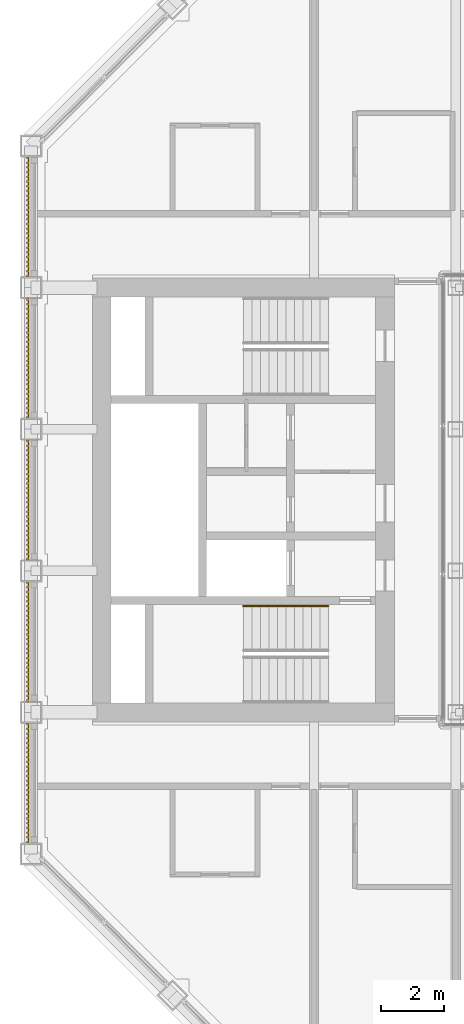
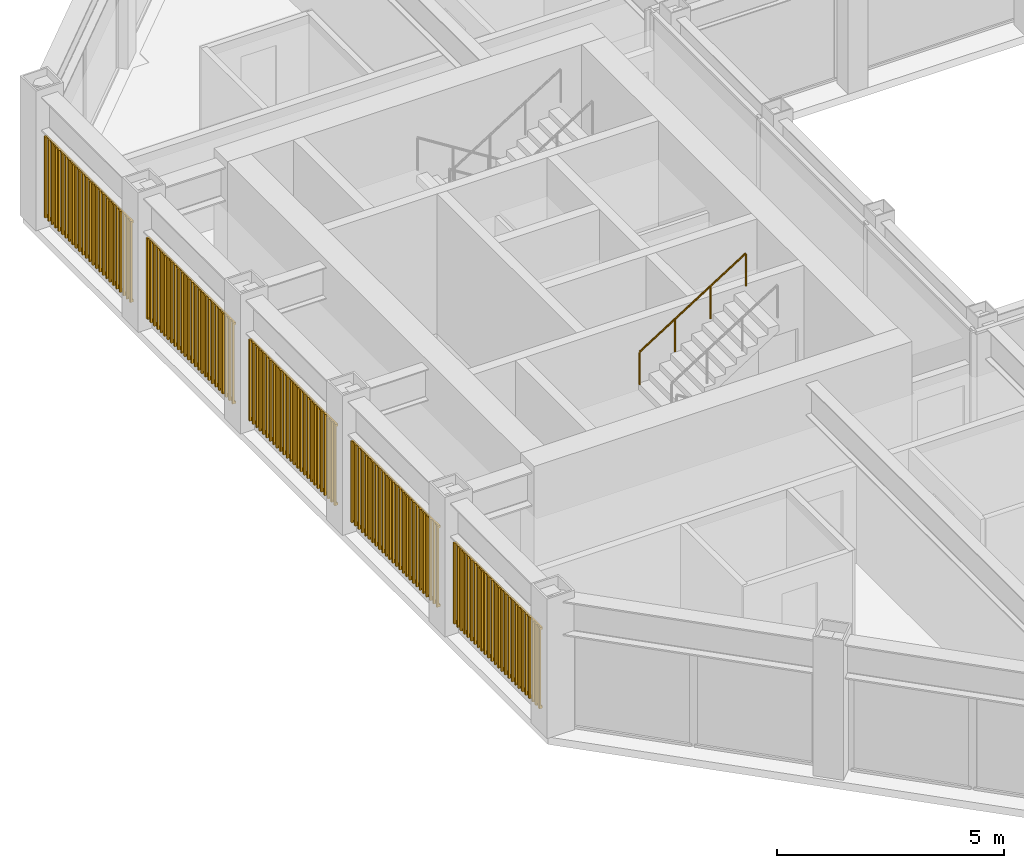
# One storey, part 14 of 16: 1 railing, 1 shading device.
"""IFC4 building model written with IfcOpenShell, lengths in metres."""

from ifc_helpers import new_model, si_unit, direction, frame, origin, origin_2d, place, context, subcontext, project, spatial, rectangle, circle, extrude, material, type_object, element, save


model = new_model("IFC4")

# Units and contexts
model_context = context("Model", 3, precision=1e-05, world=origin(), true_north=direction((0.0, 1.0)))
body_context = subcontext(model_context, "Body", "Model", "MODEL_VIEW")
ifc_project = project(units=[si_unit("LENGTHUNIT", "METRE"), si_unit("AREAUNIT", "SQUARE_METRE"), si_unit("VOLUMEUNIT", "CUBIC_METRE"), si_unit("PLANEANGLEUNIT", "RADIAN"), si_unit("MASSUNIT", "GRAM", prefix="KILO")], contexts=[model_context])

# Site, building, storey
site_placement = place(None, origin())
site = spatial("IfcSite", under=ifc_project, at=site_placement, CompositionType="ELEMENT")
building_placement = place(site_placement, origin())
building = spatial("IfcBuilding", under=site, at=building_placement, Name="Msasa Ring Tower", CompositionType="ELEMENT")
storey_placement = place(building_placement, frame((0.0, 0.0, 215.800048828125)))
storey = spatial("IfcBuildingStorey", under=building, at=storey_placement, Name="L56", CompositionType="ELEMENT", Elevation=215.800048828125)

# Shading device
ifc_material_1 = material(Name="Extruded terracotta on aluminium carriers", Category="masonry")
shading_device_type = type_object("IfcShadingDeviceType", Name="BS1 TERRACOTTA BAGUETTE SCREEN 50x50 AT 150", PredefinedType="USERDEFINED", material=ifc_material_1)
shading_device_placement = place(storey_placement, origin())
element("IfcShadingDevice", 1, at=shading_device_placement, inside=storey, type_object=shading_device_type, Name="Terracotta baguette screen W L56", ObjectType="BAGUETTE", PredefinedType="USERDEFINED", context=body_context, shape_type="SweptSolid", body=[
    extrude(rectangle(XDim=0.06005859375, YDim=0.0400390625, at=origin_2d()), frame((-20.330078125, -10.89990234375, 0.329833984375), z_axis=(0.0, 1.0, 0.0), x_axis=(0.0, 0.0, 1.0)), (0.0, 0.0, 1.0), 3.800048828125),
    extrude(rectangle(XDim=0.06005859375, YDim=0.0400390625, at=origin_2d()), frame((-20.330078125, -10.89990234375, 2.448974609375), z_axis=(0.0, 1.0, 0.0), x_axis=(0.0, 0.0, 1.0)), (0.0, 0.0, 1.0), 3.800048828125),
    extrude(rectangle(XDim=0.050048828125, YDim=0.050048828125, at=origin_2d()), frame((-20.3701171875, -10.875, 0.300048828125), z_axis=(0.0, 0.0, 1.0), x_axis=(0.0, 1.0, 0.0)), (0.0, 0.0, 1.0), 2.178955078125),
    extrude(rectangle(XDim=0.050048828125, YDim=0.050048828125, at=origin_2d()), frame((-20.3701171875, -10.72509765625, 0.300048828125), z_axis=(0.0, 0.0, 1.0), x_axis=(0.0, 1.0, 0.0)), (0.0, 0.0, 1.0), 2.178955078125),
    extrude(rectangle(XDim=0.050048828125, YDim=0.050048828125, at=origin_2d()), frame((-20.3701171875, -10.574951171875, 0.300048828125), z_axis=(0.0, 0.0, 1.0), x_axis=(0.0, 1.0, 0.0)), (0.0, 0.0, 1.0), 2.178955078125),
    extrude(rectangle(XDim=0.050048828125, YDim=0.050048828125, at=origin_2d()), frame((-20.3701171875, -10.425048828125, 0.300048828125), z_axis=(0.0, 0.0, 1.0), x_axis=(0.0, 1.0, 0.0)), (0.0, 0.0, 1.0), 2.178955078125),
    extrude(rectangle(XDim=0.050048828125, YDim=0.050048828125, at=origin_2d()), frame((-20.3701171875, -10.27490234375, 0.300048828125), z_axis=(0.0, 0.0, 1.0), x_axis=(0.0, 1.0, 0.0)), (0.0, 0.0, 1.0), 2.178955078125),
    extrude(rectangle(XDim=0.050048828125, YDim=0.050048828125, at=origin_2d()), frame((-20.3701171875, -10.125, 0.300048828125), z_axis=(0.0, 0.0, 1.0), x_axis=(0.0, 1.0, 0.0)), (0.0, 0.0, 1.0), 2.178955078125),
    extrude(rectangle(XDim=0.050048828125, YDim=0.050048828125, at=origin_2d()), frame((-20.3701171875, -9.97509765625, 0.300048828125), z_axis=(0.0, 0.0, 1.0), x_axis=(0.0, 1.0, 0.0)), (0.0, 0.0, 1.0), 2.178955078125),
    extrude(rectangle(XDim=0.050048828125, YDim=0.050048828125, at=origin_2d()), frame((-20.3701171875, -9.824951171875, 0.300048828125), z_axis=(0.0, 0.0, 1.0), x_axis=(0.0, 1.0, 0.0)), (0.0, 0.0, 1.0), 2.178955078125),
    extrude(rectangle(XDim=0.050048828125, YDim=0.050048828125, at=origin_2d()), frame((-20.3701171875, -9.675048828125, 0.300048828125), z_axis=(0.0, 0.0, 1.0), x_axis=(0.0, 1.0, 0.0)), (0.0, 0.0, 1.0), 2.178955078125),
    extrude(rectangle(XDim=0.050048828125, YDim=0.050048828125, at=origin_2d()), frame((-20.3701171875, -9.52490234375, 0.300048828125), z_axis=(0.0, 0.0, 1.0), x_axis=(0.0, 1.0, 0.0)), (0.0, 0.0, 1.0), 2.178955078125),
    extrude(rectangle(XDim=0.050048828125, YDim=0.050048828125, at=origin_2d()), frame((-20.3701171875, -9.375, 0.300048828125), z_axis=(0.0, 0.0, 1.0), x_axis=(0.0, 1.0, 0.0)), (0.0, 0.0, 1.0), 2.178955078125),
    extrude(rectangle(XDim=0.050048828125, YDim=0.050048828125, at=origin_2d()), frame((-20.3701171875, -9.22509765625, 0.300048828125), z_axis=(0.0, 0.0, 1.0), x_axis=(0.0, 1.0, 0.0)), (0.0, 0.0, 1.0), 2.178955078125),
    extrude(rectangle(XDim=0.050048828125, YDim=0.050048828125, at=origin_2d()), frame((-20.3701171875, -9.074951171875, 0.300048828125), z_axis=(0.0, 0.0, 1.0), x_axis=(0.0, 1.0, 0.0)), (0.0, 0.0, 1.0), 2.178955078125),
    extrude(rectangle(XDim=0.050048828125, YDim=0.050048828125, at=origin_2d()), frame((-20.3701171875, -8.925048828125, 0.300048828125), z_axis=(0.0, 0.0, 1.0), x_axis=(0.0, 1.0, 0.0)), (0.0, 0.0, 1.0), 2.178955078125),
    extrude(rectangle(XDim=0.050048828125, YDim=0.050048828125, at=origin_2d()), frame((-20.3701171875, -8.77490234375, 0.300048828125), z_axis=(0.0, 0.0, 1.0), x_axis=(0.0, 1.0, 0.0)), (0.0, 0.0, 1.0), 2.178955078125),
    extrude(rectangle(XDim=0.050048828125, YDim=0.050048828125, at=origin_2d()), frame((-20.3701171875, -8.625, 0.300048828125), z_axis=(0.0, 0.0, 1.0), x_axis=(0.0, 1.0, 0.0)), (0.0, 0.0, 1.0), 2.178955078125),
    extrude(rectangle(XDim=0.050048828125, YDim=0.050048828125, at=origin_2d()), frame((-20.3701171875, -8.47509765625, 0.300048828125), z_axis=(0.0, 0.0, 1.0), x_axis=(0.0, 1.0, 0.0)), (0.0, 0.0, 1.0), 2.178955078125),
    extrude(rectangle(XDim=0.050048828125, YDim=0.050048828125, at=origin_2d()), frame((-20.3701171875, -8.324951171875, 0.300048828125), z_axis=(0.0, 0.0, 1.0), x_axis=(0.0, 1.0, 0.0)), (0.0, 0.0, 1.0), 2.178955078125),
    extrude(rectangle(XDim=0.050048828125, YDim=0.050048828125, at=origin_2d()), frame((-20.3701171875, -8.175048828125, 0.300048828125), z_axis=(0.0, 0.0, 1.0), x_axis=(0.0, 1.0, 0.0)), (0.0, 0.0, 1.0), 2.178955078125),
    extrude(rectangle(XDim=0.050048828125, YDim=0.050048828125, at=origin_2d()), frame((-20.3701171875, -8.02490234375, 0.300048828125), z_axis=(0.0, 0.0, 1.0), x_axis=(0.0, 1.0, 0.0)), (0.0, 0.0, 1.0), 2.178955078125),
    extrude(rectangle(XDim=0.050048828125, YDim=0.050048828125, at=origin_2d()), frame((-20.3701171875, -7.875, 0.300048828125), z_axis=(0.0, 0.0, 1.0), x_axis=(0.0, 1.0, 0.0)), (0.0, 0.0, 1.0), 2.178955078125),
    extrude(rectangle(XDim=0.050048828125, YDim=0.050048828125, at=origin_2d()), frame((-20.3701171875, -7.72509765625, 0.300048828125), z_axis=(0.0, 0.0, 1.0), x_axis=(0.0, 1.0, 0.0)), (0.0, 0.0, 1.0), 2.178955078125),
    extrude(rectangle(XDim=0.050048828125, YDim=0.050048828125, at=origin_2d()), frame((-20.3701171875, -7.574951171875, 0.300048828125), z_axis=(0.0, 0.0, 1.0), x_axis=(0.0, 1.0, 0.0)), (0.0, 0.0, 1.0), 2.178955078125),
    extrude(rectangle(XDim=0.050048828125, YDim=0.050048828125, at=origin_2d()), frame((-20.3701171875, -7.425048828125, 0.300048828125), z_axis=(0.0, 0.0, 1.0), x_axis=(0.0, 1.0, 0.0)), (0.0, 0.0, 1.0), 2.178955078125),
    extrude(rectangle(XDim=0.050048828125, YDim=0.050048828125, at=origin_2d()), frame((-20.3701171875, -7.27490234375, 0.300048828125), z_axis=(0.0, 0.0, 1.0), x_axis=(0.0, 1.0, 0.0)), (0.0, 0.0, 1.0), 2.178955078125),
    extrude(rectangle(XDim=0.050048828125, YDim=0.050048828125, at=origin_2d()), frame((-20.3701171875, -7.125, 0.300048828125), z_axis=(0.0, 0.0, 1.0), x_axis=(0.0, 1.0, 0.0)), (0.0, 0.0, 1.0), 2.178955078125),
    extrude(rectangle(XDim=0.06005859375, YDim=0.0400390625, at=origin_2d()), frame((-20.330078125, -6.39990234375, 0.329833984375), z_axis=(0.0, 1.0, 0.0), x_axis=(0.0, 0.0, 1.0)), (0.0, 0.0, 1.0), 3.800048828125),
    extrude(rectangle(XDim=0.06005859375, YDim=0.0400390625, at=origin_2d()), frame((-20.330078125, -6.39990234375, 2.448974609375), z_axis=(0.0, 1.0, 0.0), x_axis=(0.0, 0.0, 1.0)), (0.0, 0.0, 1.0), 3.800048828125),
    extrude(rectangle(XDim=0.050048828125, YDim=0.050048828125, at=origin_2d()), frame((-20.3701171875, -6.375, 0.300048828125), z_axis=(0.0, 0.0, 1.0), x_axis=(0.0, 1.0, 0.0)), (0.0, 0.0, 1.0), 2.178955078125),
    extrude(rectangle(XDim=0.050048828125, YDim=0.050048828125, at=origin_2d()), frame((-20.3701171875, -6.22509765625, 0.300048828125), z_axis=(0.0, 0.0, 1.0), x_axis=(0.0, 1.0, 0.0)), (0.0, 0.0, 1.0), 2.178955078125),
    extrude(rectangle(XDim=0.050048828125, YDim=0.050048828125, at=origin_2d()), frame((-20.3701171875, -6.074951171875, 0.300048828125), z_axis=(0.0, 0.0, 1.0), x_axis=(0.0, 1.0, 0.0)), (0.0, 0.0, 1.0), 2.178955078125),
    extrude(rectangle(XDim=0.050048828125, YDim=0.050048828125, at=origin_2d()), frame((-20.3701171875, -5.925048828125, 0.300048828125), z_axis=(0.0, 0.0, 1.0), x_axis=(0.0, 1.0, 0.0)), (0.0, 0.0, 1.0), 2.178955078125),
    extrude(rectangle(XDim=0.050048828125, YDim=0.050048828125, at=origin_2d()), frame((-20.3701171875, -5.77490234375, 0.300048828125), z_axis=(0.0, 0.0, 1.0), x_axis=(0.0, 1.0, 0.0)), (0.0, 0.0, 1.0), 2.178955078125),
    extrude(rectangle(XDim=0.050048828125, YDim=0.050048828125, at=origin_2d()), frame((-20.3701171875, -5.625, 0.300048828125), z_axis=(0.0, 0.0, 1.0), x_axis=(0.0, 1.0, 0.0)), (0.0, 0.0, 1.0), 2.178955078125),
    extrude(rectangle(XDim=0.050048828125, YDim=0.050048828125, at=origin_2d()), frame((-20.3701171875, -5.47509765625, 0.300048828125), z_axis=(0.0, 0.0, 1.0), x_axis=(0.0, 1.0, 0.0)), (0.0, 0.0, 1.0), 2.178955078125),
    extrude(rectangle(XDim=0.050048828125, YDim=0.050048828125, at=origin_2d()), frame((-20.3701171875, -5.324951171875, 0.300048828125), z_axis=(0.0, 0.0, 1.0), x_axis=(0.0, 1.0, 0.0)), (0.0, 0.0, 1.0), 2.178955078125),
    extrude(rectangle(XDim=0.050048828125, YDim=0.050048828125, at=origin_2d()), frame((-20.3701171875, -5.175048828125, 0.300048828125), z_axis=(0.0, 0.0, 1.0), x_axis=(0.0, 1.0, 0.0)), (0.0, 0.0, 1.0), 2.178955078125),
    extrude(rectangle(XDim=0.050048828125, YDim=0.050048828125, at=origin_2d()), frame((-20.3701171875, -5.02490234375, 0.300048828125), z_axis=(0.0, 0.0, 1.0), x_axis=(0.0, 1.0, 0.0)), (0.0, 0.0, 1.0), 2.178955078125),
    extrude(rectangle(XDim=0.050048828125, YDim=0.050048828125, at=origin_2d()), frame((-20.3701171875, -4.875, 0.300048828125), z_axis=(0.0, 0.0, 1.0), x_axis=(0.0, 1.0, 0.0)), (0.0, 0.0, 1.0), 2.178955078125),
    extrude(rectangle(XDim=0.050048828125, YDim=0.050048828125, at=origin_2d()), frame((-20.3701171875, -4.72509765625, 0.300048828125), z_axis=(0.0, 0.0, 1.0), x_axis=(0.0, 1.0, 0.0)), (0.0, 0.0, 1.0), 2.178955078125),
    extrude(rectangle(XDim=0.050048828125, YDim=0.050048828125, at=origin_2d()), frame((-20.3701171875, -4.574951171875, 0.300048828125), z_axis=(0.0, 0.0, 1.0), x_axis=(0.0, 1.0, 0.0)), (0.0, 0.0, 1.0), 2.178955078125),
    extrude(rectangle(XDim=0.050048828125, YDim=0.050048828125, at=origin_2d()), frame((-20.3701171875, -4.425048828125, 0.300048828125), z_axis=(0.0, 0.0, 1.0), x_axis=(0.0, 1.0, 0.0)), (0.0, 0.0, 1.0), 2.178955078125),
    extrude(rectangle(XDim=0.050048828125, YDim=0.050048828125, at=origin_2d()), frame((-20.3701171875, -4.27490234375, 0.300048828125), z_axis=(0.0, 0.0, 1.0), x_axis=(0.0, 1.0, 0.0)), (0.0, 0.0, 1.0), 2.178955078125),
    extrude(rectangle(XDim=0.050048828125, YDim=0.050048828125, at=origin_2d()), frame((-20.3701171875, -4.125, 0.300048828125), z_axis=(0.0, 0.0, 1.0), x_axis=(0.0, 1.0, 0.0)), (0.0, 0.0, 1.0), 2.178955078125),
    extrude(rectangle(XDim=0.050048828125, YDim=0.050048828125, at=origin_2d()), frame((-20.3701171875, -3.97509765625, 0.300048828125), z_axis=(0.0, 0.0, 1.0), x_axis=(0.0, 1.0, 0.0)), (0.0, 0.0, 1.0), 2.178955078125),
    extrude(rectangle(XDim=0.050048828125, YDim=0.050048828125, at=origin_2d()), frame((-20.3701171875, -3.824951171875, 0.300048828125), z_axis=(0.0, 0.0, 1.0), x_axis=(0.0, 1.0, 0.0)), (0.0, 0.0, 1.0), 2.178955078125),
    extrude(rectangle(XDim=0.050048828125, YDim=0.050048828125, at=origin_2d()), frame((-20.3701171875, -3.675048828125, 0.300048828125), z_axis=(0.0, 0.0, 1.0), x_axis=(0.0, 1.0, 0.0)), (0.0, 0.0, 1.0), 2.178955078125),
    extrude(rectangle(XDim=0.050048828125, YDim=0.050048828125, at=origin_2d()), frame((-20.3701171875, -3.52490234375, 0.300048828125), z_axis=(0.0, 0.0, 1.0), x_axis=(0.0, 1.0, 0.0)), (0.0, 0.0, 1.0), 2.178955078125),
    extrude(rectangle(XDim=0.050048828125, YDim=0.050048828125, at=origin_2d()), frame((-20.3701171875, -3.375, 0.300048828125), z_axis=(0.0, 0.0, 1.0), x_axis=(0.0, 1.0, 0.0)), (0.0, 0.0, 1.0), 2.178955078125),
    extrude(rectangle(XDim=0.050048828125, YDim=0.050048828125, at=origin_2d()), frame((-20.3701171875, -3.22509765625, 0.300048828125), z_axis=(0.0, 0.0, 1.0), x_axis=(0.0, 1.0, 0.0)), (0.0, 0.0, 1.0), 2.178955078125),
    extrude(rectangle(XDim=0.050048828125, YDim=0.050048828125, at=origin_2d()), frame((-20.3701171875, -3.074951171875, 0.300048828125), z_axis=(0.0, 0.0, 1.0), x_axis=(0.0, 1.0, 0.0)), (0.0, 0.0, 1.0), 2.178955078125),
    extrude(rectangle(XDim=0.050048828125, YDim=0.050048828125, at=origin_2d()), frame((-20.3701171875, -2.925048828125, 0.300048828125), z_axis=(0.0, 0.0, 1.0), x_axis=(0.0, 1.0, 0.0)), (0.0, 0.0, 1.0), 2.178955078125),
    extrude(rectangle(XDim=0.050048828125, YDim=0.050048828125, at=origin_2d()), frame((-20.3701171875, -2.77490234375, 0.300048828125), z_axis=(0.0, 0.0, 1.0), x_axis=(0.0, 1.0, 0.0)), (0.0, 0.0, 1.0), 2.178955078125),
    extrude(rectangle(XDim=0.050048828125, YDim=0.050048828125, at=origin_2d()), frame((-20.3701171875, -2.625, 0.300048828125), z_axis=(0.0, 0.0, 1.0), x_axis=(0.0, 1.0, 0.0)), (0.0, 0.0, 1.0), 2.178955078125),
    extrude(rectangle(XDim=0.06005859375, YDim=0.0400390625, at=origin_2d()), frame((-20.330078125, -1.89990234375, 0.329833984375), z_axis=(0.0, 1.0, 0.0), x_axis=(0.0, 0.0, 1.0)), (0.0, 0.0, 1.0), 3.800048828125),
    extrude(rectangle(XDim=0.06005859375, YDim=0.0400390625, at=origin_2d()), frame((-20.330078125, -1.89990234375, 2.448974609375), z_axis=(0.0, 1.0, 0.0), x_axis=(0.0, 0.0, 1.0)), (0.0, 0.0, 1.0), 3.800048828125),
    extrude(rectangle(XDim=0.050048828125, YDim=0.050048828125, at=origin_2d()), frame((-20.3701171875, -1.875, 0.300048828125), z_axis=(0.0, 0.0, 1.0), x_axis=(0.0, 1.0, 0.0)), (0.0, 0.0, 1.0), 2.178955078125),
    extrude(rectangle(XDim=0.050048828125, YDim=0.050048828125, at=origin_2d()), frame((-20.3701171875, -1.72509765625, 0.300048828125), z_axis=(0.0, 0.0, 1.0), x_axis=(0.0, 1.0, 0.0)), (0.0, 0.0, 1.0), 2.178955078125),
    extrude(rectangle(XDim=0.050048828125, YDim=0.050048828125, at=origin_2d()), frame((-20.3701171875, -1.574951171875, 0.300048828125), z_axis=(0.0, 0.0, 1.0), x_axis=(0.0, 1.0, 0.0)), (0.0, 0.0, 1.0), 2.178955078125),
    extrude(rectangle(XDim=0.050048828125, YDim=0.050048828125, at=origin_2d()), frame((-20.3701171875, -1.425048828125, 0.300048828125), z_axis=(0.0, 0.0, 1.0), x_axis=(0.0, 1.0, 0.0)), (0.0, 0.0, 1.0), 2.178955078125),
    extrude(rectangle(XDim=0.050048828125, YDim=0.050048828125, at=origin_2d()), frame((-20.3701171875, -1.27490234375, 0.300048828125), z_axis=(0.0, 0.0, 1.0), x_axis=(0.0, 1.0, 0.0)), (0.0, 0.0, 1.0), 2.178955078125),
    extrude(rectangle(XDim=0.050048828125, YDim=0.050048828125, at=origin_2d()), frame((-20.3701171875, -1.125, 0.300048828125), z_axis=(0.0, 0.0, 1.0), x_axis=(0.0, 1.0, 0.0)), (0.0, 0.0, 1.0), 2.178955078125),
    extrude(rectangle(XDim=0.050048828125, YDim=0.050048828125, at=origin_2d()), frame((-20.3701171875, -0.97509765625, 0.300048828125), z_axis=(0.0, 0.0, 1.0), x_axis=(0.0, 1.0, 0.0)), (0.0, 0.0, 1.0), 2.178955078125),
    extrude(rectangle(XDim=0.050048828125, YDim=0.050048828125, at=origin_2d()), frame((-20.3701171875, -0.824951171875, 0.300048828125), z_axis=(0.0, 0.0, 1.0), x_axis=(0.0, 1.0, 0.0)), (0.0, 0.0, 1.0), 2.178955078125),
    extrude(rectangle(XDim=0.050048828125, YDim=0.050048828125, at=origin_2d()), frame((-20.3701171875, -0.675048828125, 0.300048828125), z_axis=(0.0, 0.0, 1.0), x_axis=(0.0, 1.0, 0.0)), (0.0, 0.0, 1.0), 2.178955078125),
    extrude(rectangle(XDim=0.050048828125, YDim=0.050048828125, at=origin_2d()), frame((-20.3701171875, -0.52490234375, 0.300048828125), z_axis=(0.0, 0.0, 1.0), x_axis=(0.0, 1.0, 0.0)), (0.0, 0.0, 1.0), 2.178955078125),
    extrude(rectangle(XDim=0.050048828125, YDim=0.050048828125, at=origin_2d()), frame((-20.3701171875, -0.375, 0.300048828125), z_axis=(0.0, 0.0, 1.0), x_axis=(0.0, 1.0, 0.0)), (0.0, 0.0, 1.0), 2.178955078125),
    extrude(rectangle(XDim=0.050048828125, YDim=0.050048828125, at=origin_2d()), frame((-20.3701171875, -0.22509765625, 0.300048828125), z_axis=(0.0, 0.0, 1.0), x_axis=(0.0, 1.0, 0.0)), (0.0, 0.0, 1.0), 2.178955078125),
    extrude(rectangle(XDim=0.050048828125, YDim=0.050048828125, at=origin_2d()), frame((-20.3701171875, -0.074951171875, 0.300048828125), z_axis=(0.0, 0.0, 1.0), x_axis=(0.0, 1.0, 0.0)), (0.0, 0.0, 1.0), 2.178955078125),
    extrude(rectangle(XDim=0.050048828125, YDim=0.050048828125, at=origin_2d()), frame((-20.3701171875, 0.074951171875, 0.300048828125), z_axis=(0.0, 0.0, 1.0), x_axis=(0.0, 1.0, 0.0)), (0.0, 0.0, 1.0), 2.178955078125),
    extrude(rectangle(XDim=0.050048828125, YDim=0.050048828125, at=origin_2d()), frame((-20.3701171875, 0.22509765625, 0.300048828125), z_axis=(0.0, 0.0, 1.0), x_axis=(0.0, 1.0, 0.0)), (0.0, 0.0, 1.0), 2.178955078125),
    extrude(rectangle(XDim=0.050048828125, YDim=0.050048828125, at=origin_2d()), frame((-20.3701171875, 0.375, 0.300048828125), z_axis=(0.0, 0.0, 1.0), x_axis=(0.0, 1.0, 0.0)), (0.0, 0.0, 1.0), 2.178955078125),
    extrude(rectangle(XDim=0.050048828125, YDim=0.050048828125, at=origin_2d()), frame((-20.3701171875, 0.52490234375, 0.300048828125), z_axis=(0.0, 0.0, 1.0), x_axis=(0.0, 1.0, 0.0)), (0.0, 0.0, 1.0), 2.178955078125),
    extrude(rectangle(XDim=0.050048828125, YDim=0.050048828125, at=origin_2d()), frame((-20.3701171875, 0.675048828125, 0.300048828125), z_axis=(0.0, 0.0, 1.0), x_axis=(0.0, 1.0, 0.0)), (0.0, 0.0, 1.0), 2.178955078125),
    extrude(rectangle(XDim=0.050048828125, YDim=0.050048828125, at=origin_2d()), frame((-20.3701171875, 0.824951171875, 0.300048828125), z_axis=(0.0, 0.0, 1.0), x_axis=(0.0, 1.0, 0.0)), (0.0, 0.0, 1.0), 2.178955078125),
    extrude(rectangle(XDim=0.050048828125, YDim=0.050048828125, at=origin_2d()), frame((-20.3701171875, 0.97509765625, 0.300048828125), z_axis=(0.0, 0.0, 1.0), x_axis=(0.0, 1.0, 0.0)), (0.0, 0.0, 1.0), 2.178955078125),
    extrude(rectangle(XDim=0.050048828125, YDim=0.050048828125, at=origin_2d()), frame((-20.3701171875, 1.125, 0.300048828125), z_axis=(0.0, 0.0, 1.0), x_axis=(0.0, 1.0, 0.0)), (0.0, 0.0, 1.0), 2.178955078125),
    extrude(rectangle(XDim=0.050048828125, YDim=0.050048828125, at=origin_2d()), frame((-20.3701171875, 1.27490234375, 0.300048828125), z_axis=(0.0, 0.0, 1.0), x_axis=(0.0, 1.0, 0.0)), (0.0, 0.0, 1.0), 2.178955078125),
    extrude(rectangle(XDim=0.050048828125, YDim=0.050048828125, at=origin_2d()), frame((-20.3701171875, 1.425048828125, 0.300048828125), z_axis=(0.0, 0.0, 1.0), x_axis=(0.0, 1.0, 0.0)), (0.0, 0.0, 1.0), 2.178955078125),
    extrude(rectangle(XDim=0.050048828125, YDim=0.050048828125, at=origin_2d()), frame((-20.3701171875, 1.574951171875, 0.300048828125), z_axis=(0.0, 0.0, 1.0), x_axis=(0.0, 1.0, 0.0)), (0.0, 0.0, 1.0), 2.178955078125),
    extrude(rectangle(XDim=0.050048828125, YDim=0.050048828125, at=origin_2d()), frame((-20.3701171875, 1.72509765625, 0.300048828125), z_axis=(0.0, 0.0, 1.0), x_axis=(0.0, 1.0, 0.0)), (0.0, 0.0, 1.0), 2.178955078125),
    extrude(rectangle(XDim=0.050048828125, YDim=0.050048828125, at=origin_2d()), frame((-20.3701171875, 1.875, 0.300048828125), z_axis=(0.0, 0.0, 1.0), x_axis=(0.0, 1.0, 0.0)), (0.0, 0.0, 1.0), 2.178955078125),
    extrude(rectangle(XDim=0.06005859375, YDim=0.0400390625, at=origin_2d()), frame((-20.330078125, 2.60009765625, 0.329833984375), z_axis=(0.0, 1.0, 0.0), x_axis=(0.0, 0.0, 1.0)), (0.0, 0.0, 1.0), 3.800048828125),
    extrude(rectangle(XDim=0.06005859375, YDim=0.0400390625, at=origin_2d()), frame((-20.330078125, 2.60009765625, 2.448974609375), z_axis=(0.0, 1.0, 0.0), x_axis=(0.0, 0.0, 1.0)), (0.0, 0.0, 1.0), 3.800048828125),
    extrude(rectangle(XDim=0.050048828125, YDim=0.050048828125, at=origin_2d()), frame((-20.3701171875, 2.625, 0.300048828125), z_axis=(0.0, 0.0, 1.0), x_axis=(0.0, 1.0, 0.0)), (0.0, 0.0, 1.0), 2.178955078125),
    extrude(rectangle(XDim=0.050048828125, YDim=0.050048828125, at=origin_2d()), frame((-20.3701171875, 2.77490234375, 0.300048828125), z_axis=(0.0, 0.0, 1.0), x_axis=(0.0, 1.0, 0.0)), (0.0, 0.0, 1.0), 2.178955078125),
    extrude(rectangle(XDim=0.050048828125, YDim=0.050048828125, at=origin_2d()), frame((-20.3701171875, 2.925048828125, 0.300048828125), z_axis=(0.0, 0.0, 1.0), x_axis=(0.0, 1.0, 0.0)), (0.0, 0.0, 1.0), 2.178955078125),
    extrude(rectangle(XDim=0.050048828125, YDim=0.050048828125, at=origin_2d()), frame((-20.3701171875, 3.074951171875, 0.300048828125), z_axis=(0.0, 0.0, 1.0), x_axis=(0.0, 1.0, 0.0)), (0.0, 0.0, 1.0), 2.178955078125),
    extrude(rectangle(XDim=0.050048828125, YDim=0.050048828125, at=origin_2d()), frame((-20.3701171875, 3.22509765625, 0.300048828125), z_axis=(0.0, 0.0, 1.0), x_axis=(0.0, 1.0, 0.0)), (0.0, 0.0, 1.0), 2.178955078125),
    extrude(rectangle(XDim=0.050048828125, YDim=0.050048828125, at=origin_2d()), frame((-20.3701171875, 3.375, 0.300048828125), z_axis=(0.0, 0.0, 1.0), x_axis=(0.0, 1.0, 0.0)), (0.0, 0.0, 1.0), 2.178955078125),
    extrude(rectangle(XDim=0.050048828125, YDim=0.050048828125, at=origin_2d()), frame((-20.3701171875, 3.52490234375, 0.300048828125), z_axis=(0.0, 0.0, 1.0), x_axis=(0.0, 1.0, 0.0)), (0.0, 0.0, 1.0), 2.178955078125),
    extrude(rectangle(XDim=0.050048828125, YDim=0.050048828125, at=origin_2d()), frame((-20.3701171875, 3.675048828125, 0.300048828125), z_axis=(0.0, 0.0, 1.0), x_axis=(0.0, 1.0, 0.0)), (0.0, 0.0, 1.0), 2.178955078125),
    extrude(rectangle(XDim=0.050048828125, YDim=0.050048828125, at=origin_2d()), frame((-20.3701171875, 3.824951171875, 0.300048828125), z_axis=(0.0, 0.0, 1.0), x_axis=(0.0, 1.0, 0.0)), (0.0, 0.0, 1.0), 2.178955078125),
    extrude(rectangle(XDim=0.050048828125, YDim=0.050048828125, at=origin_2d()), frame((-20.3701171875, 3.97509765625, 0.300048828125), z_axis=(0.0, 0.0, 1.0), x_axis=(0.0, 1.0, 0.0)), (0.0, 0.0, 1.0), 2.178955078125),
    extrude(rectangle(XDim=0.050048828125, YDim=0.050048828125, at=origin_2d()), frame((-20.3701171875, 4.125, 0.300048828125), z_axis=(0.0, 0.0, 1.0), x_axis=(0.0, 1.0, 0.0)), (0.0, 0.0, 1.0), 2.178955078125),
    extrude(rectangle(XDim=0.050048828125, YDim=0.050048828125, at=origin_2d()), frame((-20.3701171875, 4.27490234375, 0.300048828125), z_axis=(0.0, 0.0, 1.0), x_axis=(0.0, 1.0, 0.0)), (0.0, 0.0, 1.0), 2.178955078125),
    extrude(rectangle(XDim=0.050048828125, YDim=0.050048828125, at=origin_2d()), frame((-20.3701171875, 4.425048828125, 0.300048828125), z_axis=(0.0, 0.0, 1.0), x_axis=(0.0, 1.0, 0.0)), (0.0, 0.0, 1.0), 2.178955078125),
    extrude(rectangle(XDim=0.050048828125, YDim=0.050048828125, at=origin_2d()), frame((-20.3701171875, 4.574951171875, 0.300048828125), z_axis=(0.0, 0.0, 1.0), x_axis=(0.0, 1.0, 0.0)), (0.0, 0.0, 1.0), 2.178955078125),
    extrude(rectangle(XDim=0.050048828125, YDim=0.050048828125, at=origin_2d()), frame((-20.3701171875, 4.72509765625, 0.300048828125), z_axis=(0.0, 0.0, 1.0), x_axis=(0.0, 1.0, 0.0)), (0.0, 0.0, 1.0), 2.178955078125),
    extrude(rectangle(XDim=0.050048828125, YDim=0.050048828125, at=origin_2d()), frame((-20.3701171875, 4.875, 0.300048828125), z_axis=(0.0, 0.0, 1.0), x_axis=(0.0, 1.0, 0.0)), (0.0, 0.0, 1.0), 2.178955078125),
    extrude(rectangle(XDim=0.050048828125, YDim=0.050048828125, at=origin_2d()), frame((-20.3701171875, 5.02490234375, 0.300048828125), z_axis=(0.0, 0.0, 1.0), x_axis=(0.0, 1.0, 0.0)), (0.0, 0.0, 1.0), 2.178955078125),
    extrude(rectangle(XDim=0.050048828125, YDim=0.050048828125, at=origin_2d()), frame((-20.3701171875, 5.175048828125, 0.300048828125), z_axis=(0.0, 0.0, 1.0), x_axis=(0.0, 1.0, 0.0)), (0.0, 0.0, 1.0), 2.178955078125),
    extrude(rectangle(XDim=0.050048828125, YDim=0.050048828125, at=origin_2d()), frame((-20.3701171875, 5.324951171875, 0.300048828125), z_axis=(0.0, 0.0, 1.0), x_axis=(0.0, 1.0, 0.0)), (0.0, 0.0, 1.0), 2.178955078125),
    extrude(rectangle(XDim=0.050048828125, YDim=0.050048828125, at=origin_2d()), frame((-20.3701171875, 5.47509765625, 0.300048828125), z_axis=(0.0, 0.0, 1.0), x_axis=(0.0, 1.0, 0.0)), (0.0, 0.0, 1.0), 2.178955078125),
    extrude(rectangle(XDim=0.050048828125, YDim=0.050048828125, at=origin_2d()), frame((-20.3701171875, 5.625, 0.300048828125), z_axis=(0.0, 0.0, 1.0), x_axis=(0.0, 1.0, 0.0)), (0.0, 0.0, 1.0), 2.178955078125),
    extrude(rectangle(XDim=0.050048828125, YDim=0.050048828125, at=origin_2d()), frame((-20.3701171875, 5.77490234375, 0.300048828125), z_axis=(0.0, 0.0, 1.0), x_axis=(0.0, 1.0, 0.0)), (0.0, 0.0, 1.0), 2.178955078125),
    extrude(rectangle(XDim=0.050048828125, YDim=0.050048828125, at=origin_2d()), frame((-20.3701171875, 5.925048828125, 0.300048828125), z_axis=(0.0, 0.0, 1.0), x_axis=(0.0, 1.0, 0.0)), (0.0, 0.0, 1.0), 2.178955078125),
    extrude(rectangle(XDim=0.050048828125, YDim=0.050048828125, at=origin_2d()), frame((-20.3701171875, 6.074951171875, 0.300048828125), z_axis=(0.0, 0.0, 1.0), x_axis=(0.0, 1.0, 0.0)), (0.0, 0.0, 1.0), 2.178955078125),
    extrude(rectangle(XDim=0.050048828125, YDim=0.050048828125, at=origin_2d()), frame((-20.3701171875, 6.22509765625, 0.300048828125), z_axis=(0.0, 0.0, 1.0), x_axis=(0.0, 1.0, 0.0)), (0.0, 0.0, 1.0), 2.178955078125),
    extrude(rectangle(XDim=0.050048828125, YDim=0.050048828125, at=origin_2d()), frame((-20.3701171875, 6.375, 0.300048828125), z_axis=(0.0, 0.0, 1.0), x_axis=(0.0, 1.0, 0.0)), (0.0, 0.0, 1.0), 2.178955078125),
    extrude(rectangle(XDim=0.06005859375, YDim=0.0400390625, at=origin_2d()), frame((-20.330078125, 7.10009765625, 0.329833984375), z_axis=(0.0, 1.0, 0.0), x_axis=(0.0, 0.0, 1.0)), (0.0, 0.0, 1.0), 3.800048828125),
    extrude(rectangle(XDim=0.06005859375, YDim=0.0400390625, at=origin_2d()), frame((-20.330078125, 7.10009765625, 2.448974609375), z_axis=(0.0, 1.0, 0.0), x_axis=(0.0, 0.0, 1.0)), (0.0, 0.0, 1.0), 3.800048828125),
    extrude(rectangle(XDim=0.050048828125, YDim=0.050048828125, at=origin_2d()), frame((-20.3701171875, 7.125, 0.300048828125), z_axis=(0.0, 0.0, 1.0), x_axis=(0.0, 1.0, 0.0)), (0.0, 0.0, 1.0), 2.178955078125),
    extrude(rectangle(XDim=0.050048828125, YDim=0.050048828125, at=origin_2d()), frame((-20.3701171875, 7.27490234375, 0.300048828125), z_axis=(0.0, 0.0, 1.0), x_axis=(0.0, 1.0, 0.0)), (0.0, 0.0, 1.0), 2.178955078125),
    extrude(rectangle(XDim=0.050048828125, YDim=0.050048828125, at=origin_2d()), frame((-20.3701171875, 7.425048828125, 0.300048828125), z_axis=(0.0, 0.0, 1.0), x_axis=(0.0, 1.0, 0.0)), (0.0, 0.0, 1.0), 2.178955078125),
    extrude(rectangle(XDim=0.050048828125, YDim=0.050048828125, at=origin_2d()), frame((-20.3701171875, 7.574951171875, 0.300048828125), z_axis=(0.0, 0.0, 1.0), x_axis=(0.0, 1.0, 0.0)), (0.0, 0.0, 1.0), 2.178955078125),
    extrude(rectangle(XDim=0.050048828125, YDim=0.050048828125, at=origin_2d()), frame((-20.3701171875, 7.72509765625, 0.300048828125), z_axis=(0.0, 0.0, 1.0), x_axis=(0.0, 1.0, 0.0)), (0.0, 0.0, 1.0), 2.178955078125),
    extrude(rectangle(XDim=0.050048828125, YDim=0.050048828125, at=origin_2d()), frame((-20.3701171875, 7.875, 0.300048828125), z_axis=(0.0, 0.0, 1.0), x_axis=(0.0, 1.0, 0.0)), (0.0, 0.0, 1.0), 2.178955078125),
    extrude(rectangle(XDim=0.050048828125, YDim=0.050048828125, at=origin_2d()), frame((-20.3701171875, 8.02490234375, 0.300048828125), z_axis=(0.0, 0.0, 1.0), x_axis=(0.0, 1.0, 0.0)), (0.0, 0.0, 1.0), 2.178955078125),
    extrude(rectangle(XDim=0.050048828125, YDim=0.050048828125, at=origin_2d()), frame((-20.3701171875, 8.175048828125, 0.300048828125), z_axis=(0.0, 0.0, 1.0), x_axis=(0.0, 1.0, 0.0)), (0.0, 0.0, 1.0), 2.178955078125),
    extrude(rectangle(XDim=0.050048828125, YDim=0.050048828125, at=origin_2d()), frame((-20.3701171875, 8.324951171875, 0.300048828125), z_axis=(0.0, 0.0, 1.0), x_axis=(0.0, 1.0, 0.0)), (0.0, 0.0, 1.0), 2.178955078125),
    extrude(rectangle(XDim=0.050048828125, YDim=0.050048828125, at=origin_2d()), frame((-20.3701171875, 8.47509765625, 0.300048828125), z_axis=(0.0, 0.0, 1.0), x_axis=(0.0, 1.0, 0.0)), (0.0, 0.0, 1.0), 2.178955078125),
    extrude(rectangle(XDim=0.050048828125, YDim=0.050048828125, at=origin_2d()), frame((-20.3701171875, 8.625, 0.300048828125), z_axis=(0.0, 0.0, 1.0), x_axis=(0.0, 1.0, 0.0)), (0.0, 0.0, 1.0), 2.178955078125),
    extrude(rectangle(XDim=0.050048828125, YDim=0.050048828125, at=origin_2d()), frame((-20.3701171875, 8.77490234375, 0.300048828125), z_axis=(0.0, 0.0, 1.0), x_axis=(0.0, 1.0, 0.0)), (0.0, 0.0, 1.0), 2.178955078125),
    extrude(rectangle(XDim=0.050048828125, YDim=0.050048828125, at=origin_2d()), frame((-20.3701171875, 8.925048828125, 0.300048828125), z_axis=(0.0, 0.0, 1.0), x_axis=(0.0, 1.0, 0.0)), (0.0, 0.0, 1.0), 2.178955078125),
    extrude(rectangle(XDim=0.050048828125, YDim=0.050048828125, at=origin_2d()), frame((-20.3701171875, 9.074951171875, 0.300048828125), z_axis=(0.0, 0.0, 1.0), x_axis=(0.0, 1.0, 0.0)), (0.0, 0.0, 1.0), 2.178955078125),
    extrude(rectangle(XDim=0.050048828125, YDim=0.050048828125, at=origin_2d()), frame((-20.3701171875, 9.22509765625, 0.300048828125), z_axis=(0.0, 0.0, 1.0), x_axis=(0.0, 1.0, 0.0)), (0.0, 0.0, 1.0), 2.178955078125),
    extrude(rectangle(XDim=0.050048828125, YDim=0.050048828125, at=origin_2d()), frame((-20.3701171875, 9.375, 0.300048828125), z_axis=(0.0, 0.0, 1.0), x_axis=(0.0, 1.0, 0.0)), (0.0, 0.0, 1.0), 2.178955078125),
    extrude(rectangle(XDim=0.050048828125, YDim=0.050048828125, at=origin_2d()), frame((-20.3701171875, 9.52490234375, 0.300048828125), z_axis=(0.0, 0.0, 1.0), x_axis=(0.0, 1.0, 0.0)), (0.0, 0.0, 1.0), 2.178955078125),
    extrude(rectangle(XDim=0.050048828125, YDim=0.050048828125, at=origin_2d()), frame((-20.3701171875, 9.675048828125, 0.300048828125), z_axis=(0.0, 0.0, 1.0), x_axis=(0.0, 1.0, 0.0)), (0.0, 0.0, 1.0), 2.178955078125),
    extrude(rectangle(XDim=0.050048828125, YDim=0.050048828125, at=origin_2d()), frame((-20.3701171875, 9.824951171875, 0.300048828125), z_axis=(0.0, 0.0, 1.0), x_axis=(0.0, 1.0, 0.0)), (0.0, 0.0, 1.0), 2.178955078125),
    extrude(rectangle(XDim=0.050048828125, YDim=0.050048828125, at=origin_2d()), frame((-20.3701171875, 9.97509765625, 0.300048828125), z_axis=(0.0, 0.0, 1.0), x_axis=(0.0, 1.0, 0.0)), (0.0, 0.0, 1.0), 2.178955078125),
    extrude(rectangle(XDim=0.050048828125, YDim=0.050048828125, at=origin_2d()), frame((-20.3701171875, 10.125, 0.300048828125), z_axis=(0.0, 0.0, 1.0), x_axis=(0.0, 1.0, 0.0)), (0.0, 0.0, 1.0), 2.178955078125),
    extrude(rectangle(XDim=0.050048828125, YDim=0.050048828125, at=origin_2d()), frame((-20.3701171875, 10.27490234375, 0.300048828125), z_axis=(0.0, 0.0, 1.0), x_axis=(0.0, 1.0, 0.0)), (0.0, 0.0, 1.0), 2.178955078125),
    extrude(rectangle(XDim=0.050048828125, YDim=0.050048828125, at=origin_2d()), frame((-20.3701171875, 10.425048828125, 0.300048828125), z_axis=(0.0, 0.0, 1.0), x_axis=(0.0, 1.0, 0.0)), (0.0, 0.0, 1.0), 2.178955078125),
    extrude(rectangle(XDim=0.050048828125, YDim=0.050048828125, at=origin_2d()), frame((-20.3701171875, 10.574951171875, 0.300048828125), z_axis=(0.0, 0.0, 1.0), x_axis=(0.0, 1.0, 0.0)), (0.0, 0.0, 1.0), 2.178955078125),
    extrude(rectangle(XDim=0.050048828125, YDim=0.050048828125, at=origin_2d()), frame((-20.3701171875, 10.72509765625, 0.300048828125), z_axis=(0.0, 0.0, 1.0), x_axis=(0.0, 1.0, 0.0)), (0.0, 0.0, 1.0), 2.178955078125),
    extrude(rectangle(XDim=0.050048828125, YDim=0.050048828125, at=origin_2d()), frame((-20.3701171875, 10.875, 0.300048828125), z_axis=(0.0, 0.0, 1.0), x_axis=(0.0, 1.0, 0.0)), (0.0, 0.0, 1.0), 2.178955078125),
])

# Railing
ifc_material_2 = material(Name="Stainless steel", Category="steel")
railing_type = type_object("IfcRailingType", Name="HR1 HANDRAIL 900", PredefinedType="HANDRAIL", material=ifc_material_2)
railing_placement = place(storey_placement, frame((-13.5, -3.375, 2.04541015625)))
element("IfcRailing", 2, at=railing_placement, inside=storey, type_object=railing_type, Name="Handrail stair SWA L56 4", PredefinedType="HANDRAIL", context=body_context, shape_type="SweptSolid", body=[
    extrude(circle(Radius=0.02392578125, at=origin_2d()), frame((0.0, 0.0, 0.8759765625), z_axis=(0.845579735284, 0.0, 0.533849146555), x_axis=(0.0, 1.0, 0.0)), (0.0, 0.0, 1.0), 3.193115234375),
    extrude(circle(Radius=0.02099609375, at=origin_2d()), origin(), (0.0, 0.0, 1.0), 0.851806640625),
    extrude(circle(Radius=0.02099609375, at=origin_2d()), frame((0.89990234375, 0.0, 0.568115234375)), (0.0, 0.0, 1.0), 0.851806640625),
    extrude(circle(Radius=0.02099609375, at=origin_2d()), frame((1.800048828125, 0.0, 1.136474609375)), (0.0, 0.0, 1.0), 0.851806640625),
    extrude(circle(Radius=0.02099609375, at=origin_2d()), frame((2.699951171875, 0.0, 1.70458984375)), (0.0, 0.0, 1.0), 0.851806640625),
])

save(model, "model.ifc")
